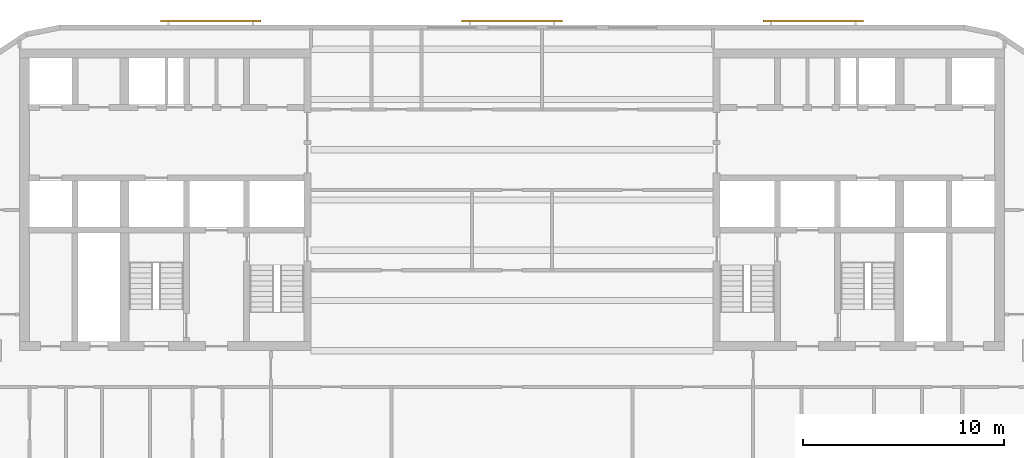
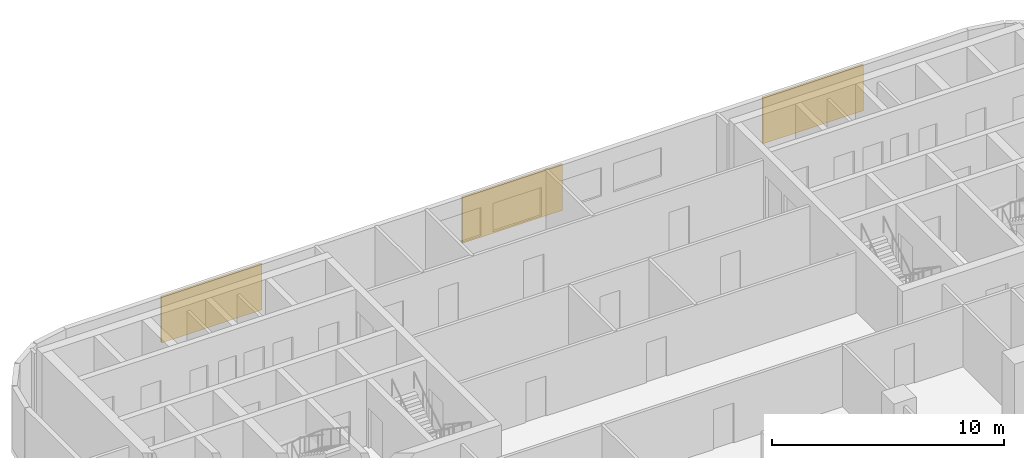
# One storey, part 10 of 11: 3 shading devices.
"""IFC4 building model written with IfcOpenShell, lengths in metres."""

from ifc_helpers import new_model, si_unit, direction, frame, origin, origin_2d, place, context, subcontext, project, spatial, rectangle, extrude, material, layer, layer_set, type_object, element, save


model = new_model("IFC4")

# Units and contexts
model_context = context("Model", 3, precision=1e-05, world=origin(), true_north=direction((0.0, 1.0)))
body_context = subcontext(model_context, "Body", "Model", "MODEL_VIEW")
ifc_project = project(units=[si_unit("LENGTHUNIT", "METRE"), si_unit("AREAUNIT", "SQUARE_METRE"), si_unit("VOLUMEUNIT", "CUBIC_METRE"), si_unit("PLANEANGLEUNIT", "RADIAN"), si_unit("MASSUNIT", "GRAM", prefix="KILO")], contexts=[model_context])

# Site, building, storey
site_placement = place(None, origin())
site = spatial("IfcSite", under=ifc_project, at=site_placement, CompositionType="ELEMENT")
building_placement = place(site_placement, origin())
building = spatial("IfcBuilding", under=site, at=building_placement, Name="Torana Hotel and Residences", CompositionType="ELEMENT")
storey_placement = place(building_placement, frame((0.0, 0.0, 215.10009765625)))
storey = spatial("IfcBuildingStorey", under=building, at=storey_placement, Name="L56", CompositionType="ELEMENT", Elevation=215.10009765625)

# Shading devices
ifc_material = material(Name="Concrete C40/50 precast", Category="concrete")
ifc_layer = layer(ifc_material, 0.10009765625)
ifc_layer_set = layer_set([ifc_layer], Name="SC1 PERFORATED BLOCK SCREEN PANEL 100")
shading_device_type = type_object("IfcShadingDeviceType", Name="SC1 PERFORATED BLOCK SCREEN PANEL 100", PredefinedType="USERDEFINED", material=ifc_layer_set)
for number, where, z_axis, x_axis, name in (
    (1, (14.983642578125, 1.39990234375, 0.5), (0.0, 0.0, 1.0), (-1.0, 0.0, 0.0), "Perforated block screen L56"),
    (2, (0.0, 1.39990234375, 0.5), (0.0, 0.0, 1.0), (-1.0, 0.0, 0.0), "Perforated block screen L56"),
    (3, (-14.983642578125, 1.39990234375, 0.5), (0.0, 0.0, 1.0), (-1.0, 0.0, 0.0), "Perforated block screen L56"),
):
    element("IfcShadingDevice", number, at=place(storey_placement, frame(where, z_axis=z_axis, x_axis=x_axis)), inside=storey, type_object=shading_device_type, Name=name, ObjectType="SCREEN", PredefinedType="USERDEFINED", context=body_context, shape_type="SweptSolid", body=[
        extrude(rectangle(XDim=5.0, YDim=0.10009765625, at=origin_2d()), origin(), (0.0, 0.0, 1.0), 2.419921875),
    ])

save(model, "model.ifc")
